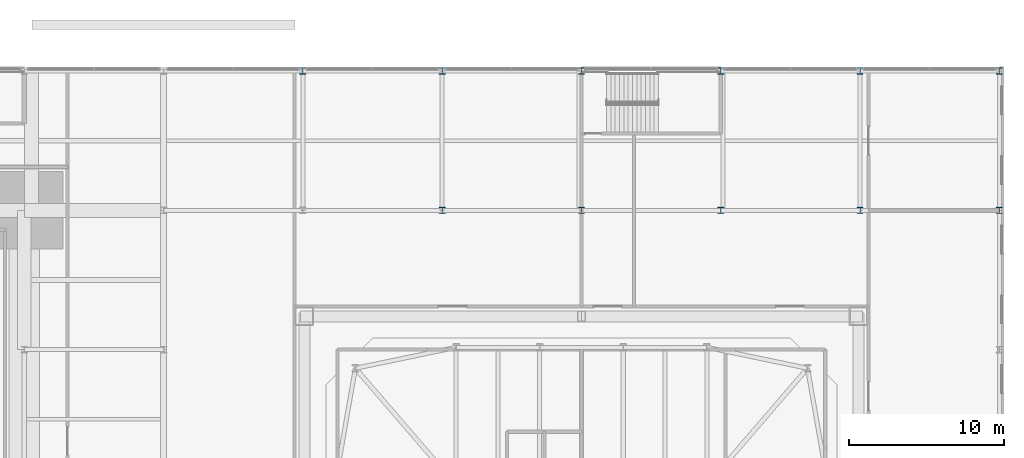
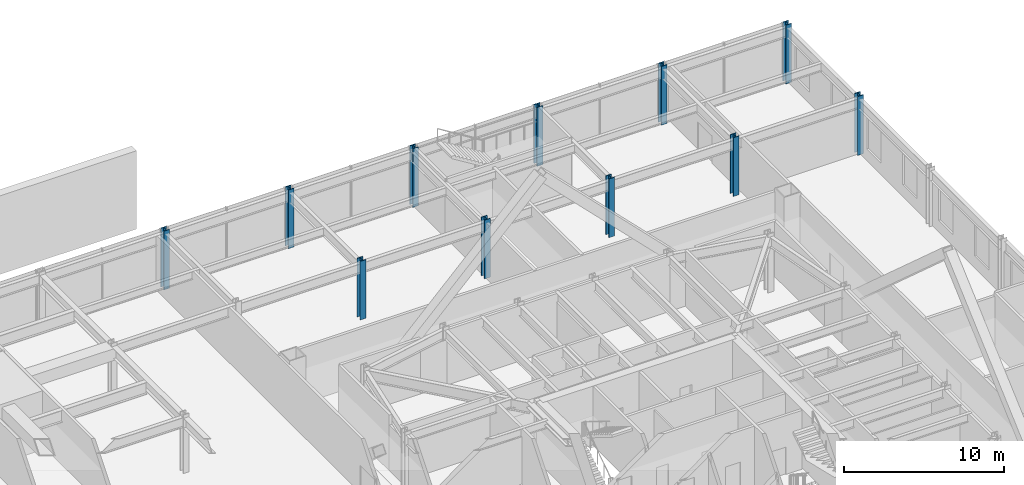
# One storey, part 5 of 32: 11 columns.
"""IFC4 building model written with IfcOpenShell, lengths in metres."""

import ifcopenshell
import ifcopenshell.guid

model = None  # the IFC model being written
_history = None  # IfcOwnerHistory: only IFC2X3 demands one
_inside = {}  # id of a spatial element -> (the spatial element, [elements in it])
_under = {}  # id of a project, library or spatial element -> (it, [spatial elements below it])
_declared = {}  # id of a project -> (the project, [libraries it declares])
_typed = {}  # id of a type object -> (the type object, [elements of that type])
_made_of = {}  # id of a material, layer set ... -> (it, [elements and type objects made of it])


def new_model(schema):
    """Start an empty IFC model of exactly this schema.

    Asked for "IFC4X3", IfcOpenShell would pick the latest addendum, in which some entities
    have other attributes; the version numbers below select the first issue.
    IFC2X3 requires an IfcOwnerHistory on every rooted entity: one is made here for all.
    """
    global model, _history
    if schema == "IFC4X3":
        model = ifcopenshell.file(schema_version=(4, 3, 0, 0))
    else:
        model = ifcopenshell.file(schema=schema)
    _inside.clear()
    _under.clear()
    _declared.clear()
    _typed.clear()
    _made_of.clear()
    _history = None
    if model.schema == "IFC2X3":
        org = make("IfcOrganization", Name="unknown")
        user = make(
            "IfcPersonAndOrganization",
            ThePerson=make("IfcPerson", FamilyName="unknown"),
            TheOrganization=org,
        )
        app = make(
            "IfcApplication",
            ApplicationDeveloper=org,
            Version="unknown",
            ApplicationFullName="unknown",
            ApplicationIdentifier="unknown",
        )
        _history = make(
            "IfcOwnerHistory",
            OwningUser=user,
            OwningApplication=app,
            ChangeAction="ADDED",
            CreationDate=0,
        )
    return model


def make(cls, **values):
    """One entity of the class cls with the attributes given. An attribute that is None is left unset."""
    return model.create_entity(
        cls, **{name: value for name, value in values.items() if value is not None}
    )


def rooted(cls, **values):
    """An entity with a GlobalId (a new one), such as an element, a storey or a relation."""
    return make(cls, GlobalId=ifcopenshell.guid.new(), OwnerHistory=_history, **values)


def si_unit(unit_type, name, prefix=None):
    """IfcSIUnit, for example si_unit("LENGTHUNIT", "METRE", prefix="MILLI")."""
    return make("IfcSIUnit", UnitType=unit_type, Prefix=prefix, Name=name)


def assignment(units):
    """IfcUnitAssignment: the units of a project."""
    return None if units is None else make("IfcUnitAssignment", Units=units)


def point(xyz):
    """IfcCartesianPoint."""
    return None if xyz is None else make("IfcCartesianPoint", Coordinates=xyz)


def direction(xyz):
    """IfcDirection."""
    return None if xyz is None else make("IfcDirection", DirectionRatios=xyz)


def frame(location, z_axis=None, x_axis=None):
    """IfcAxis2Placement3D, a coordinate frame: its origin and axes. An axis left out is left unset."""
    return make(
        "IfcAxis2Placement3D",
        Location=point(location),
        Axis=direction(z_axis),
        RefDirection=direction(x_axis),
    )


def frame_2d(location, x_axis=None):
    """IfcAxis2Placement2D, a coordinate frame in the plane: its origin and x axis."""
    return make(
        "IfcAxis2Placement2D", Location=point(location), RefDirection=direction(x_axis)
    )


def origin():
    """The frame at (0, 0, 0) with its axes left unset."""
    return frame((0.0, 0.0, 0.0))


def origin_2d():
    """The frame at (0, 0) in the plane with its x axis left unset."""
    return frame_2d((0.0, 0.0))


def place(relative_to, where):
    """IfcLocalPlacement: puts the frame where relative to a parent placement (None: the world)."""
    return make(
        "IfcLocalPlacement", PlacementRelTo=relative_to, RelativePlacement=where
    )


def context(
    kind, dimensions, precision=None, world=None, true_north=None, identifier=None
):
    """IfcGeometricRepresentationContext, for example the 3D "Model" context."""
    return make(
        "IfcGeometricRepresentationContext",
        ContextIdentifier=identifier,
        ContextType=kind,
        CoordinateSpaceDimension=dimensions,
        Precision=precision,
        WorldCoordinateSystem=world,
        TrueNorth=true_north,
    )


def subcontext(parent, identifier, kind, view, scale=None):
    """IfcGeometricRepresentationSubContext, for example "Body" below "Model"."""
    return make(
        "IfcGeometricRepresentationSubContext",
        ContextIdentifier=identifier,
        ContextType=kind,
        ParentContext=parent,
        TargetScale=scale,
        TargetView=view,
    )


def project(units=None, contexts=None):
    """IfcProject with its units and contexts."""
    return rooted(
        "IfcProject",
        Name="project",
        RepresentationContexts=contexts,
        UnitsInContext=assignment(units),
    )


def spatial(cls, under=None, at=None, **own):
    """A site, building, storey or space (cls), placed at a placement, below another one or the project."""
    s = rooted(cls, ObjectPlacement=at, **own)
    if under is not None:
        _under.setdefault(under.id(), (under, []))[1].append(s)
    return s


def profile(cls, at=None, kind="AREA", **sizes):
    """A parametric profile (cls). Its sizes go by their IFC names, for example OverallWidth=200.0."""
    return make(cls, ProfileType=kind, Position=at, **sizes)


def i_section(**sizes):
    """IfcIShapeProfileDef."""
    return profile("IfcIShapeProfileDef", **sizes)


def extrude(swept, where, along, depth):
    """IfcExtrudedAreaSolid: the profile swept, set in the frame where, extruded along a direction by depth."""
    return make(
        "IfcExtrudedAreaSolid",
        SweptArea=swept,
        Position=where,
        ExtrudedDirection=direction(along),
        Depth=depth,
    )


def shape(context_of_items, identifier, shape_type, items):
    """IfcShapeRepresentation: the items that make up one representation, for example the "Body"."""
    return make(
        "IfcShapeRepresentation",
        ContextOfItems=context_of_items,
        RepresentationIdentifier=identifier,
        RepresentationType=shape_type,
        Items=items,
    )


def material(Name=None, Category=None):
    """IfcMaterial."""
    return make("IfcMaterial", Name=Name, Category=Category)


def material_profile(
    of_material, cross_section, Name=None, Category=None, Priority=None
):
    """IfcMaterialProfile: a cross section and its material."""
    return make(
        "IfcMaterialProfile",
        Name=Name,
        Material=of_material,
        Profile=cross_section,
        Priority=Priority,
        Category=Category,
    )


def profile_set(profiles, Name=None, composite=None):
    """IfcMaterialProfileSet."""
    return make(
        "IfcMaterialProfileSet",
        Name=Name,
        MaterialProfiles=profiles,
        CompositeProfile=composite,
    )


def made_of(thing, what):
    """Note that an element or type object is made of a material, layer set ...; save() writes the relation."""
    if what is not None:
        _made_of.setdefault(what.id(), (what, []))[1].append(thing)
    return thing


def type_object(cls, material=None, **own):
    """A type object (cls), such as IfcWallType, which elements share."""
    return made_of(rooted(cls, **own), material)


def element(
    cls,
    number,
    at=None,
    inside=None,
    cuts=None,
    type_object=None,
    material=None,
    context=None,
    identifier="Body",
    shape_type=None,
    held_by="IfcProductDefinitionShape",
    body=None,
    shapes=None,
    **own,
):
    """One element of the class cls, such as IfcWall. Its Tag is "e" and its number.

    at: its placement. inside: the storey or other place that contains it. cuts: it is an
    opening in that element (IfcRelVoidsElement). A single representation is given by context,
    identifier, shape_type and body (its items); several are given by shapes. held_by: the class
    of the entity that holds the representations. save() writes the other relations.
    """
    e = rooted(cls, Tag="e%d" % number, ObjectPlacement=at, **own)
    if body is not None:
        shapes = [shape(context, identifier, shape_type, body)]
    if shapes is not None:
        e.Representation = make(held_by, Representations=shapes)
    if inside is not None:
        _inside.setdefault(inside.id(), (inside, []))[1].append(e)
    if cuts is not None:
        rooted(
            "IfcRelVoidsElement", RelatingBuildingElement=cuts, RelatedOpeningElement=e
        )
    if type_object is not None:
        _typed.setdefault(type_object.id(), (type_object, []))[1].append(e)
    return made_of(e, material)


def aggregate(whole, parts):
    """IfcRelAggregates: a whole, such as a stair, and the parts it consists of."""
    return rooted("IfcRelAggregates", RelatingObject=whole, RelatedObjects=parts)


def save(model, path):
    """Write the relations noted so far, then the file.

    IfcRelAggregates (storeys below a building ...), IfcRelContainedInSpatialStructure (elements
    in a storey), IfcRelDefinesByType, IfcRelAssociatesMaterial and IfcRelDeclares: one each for
    every whole, place, type object, material and project.
    """
    for whole, parts in _under.values():
        aggregate(whole, parts)
    for where, things in _inside.values():
        rooted(
            "IfcRelContainedInSpatialStructure",
            RelatedElements=things,
            RelatingStructure=where,
        )
    for kind, things in _typed.values():
        rooted("IfcRelDefinesByType", RelatedObjects=things, RelatingType=kind)
    for what, things in _made_of.values():
        rooted("IfcRelAssociatesMaterial", RelatedObjects=things, RelatingMaterial=what)
    for by, libraries in _declared.values():
        rooted("IfcRelDeclares", RelatingContext=by, RelatedDefinitions=libraries)
    model.write(path)


model = new_model("IFC4")

# Units and contexts
model_context = context("Model", 3, precision=1e-05, world=origin(), true_north=direction((0.0, 1.0)))
body_context = subcontext(model_context, "Body", "Model", "MODEL_VIEW")
ifc_project = project(units=[si_unit("LENGTHUNIT", "METRE"), si_unit("AREAUNIT", "SQUARE_METRE"), si_unit("VOLUMEUNIT", "CUBIC_METRE"), si_unit("PLANEANGLEUNIT", "RADIAN"), si_unit("MASSUNIT", "GRAM", prefix="KILO")], contexts=[model_context])

# Site, building, storey
site_placement = place(None, origin())
site = spatial("IfcSite", under=ifc_project, at=site_placement, CompositionType="ELEMENT")
building_placement = place(site_placement, origin())
building = spatial("IfcBuilding", under=site, at=building_placement, Name="Iwan Alto Co-Living Towers", CompositionType="ELEMENT")
storey_placement = place(building_placement, frame((0.0, 0.0, 6.0)))
storey = spatial("IfcBuildingStorey", under=building, at=storey_placement, Name="L01", CompositionType="ELEMENT", Elevation=6.0)

# Columns
ifc_material = material(Name="Steel ASTM A992 Gr 50", Category="steel")
ifc_material_profile = material_profile(ifc_material, i_section(OverallWidth=0.411376953125, OverallDepth=0.434326171875, WebThickness=0.035888671875, FlangeThickness=0.057373046875, at=origin_2d()), Name="W14X311")
ifc_profile_set = profile_set([ifc_material_profile], Name="Steel ASTM A992 Gr 50")
column_type = type_object("IfcColumnType", Name="PODIUM COLUMN W14X311", PredefinedType="COLUMN", material=ifc_profile_set)
for number, where, z_axis, x_axis, name in (
    (1, (45.0, 36.0, 0.0), (0.0, 0.0, 1.0), (1.0, 0.0, 0.0), "Podium column 10/I L01"),
    (2, (54.0, 27.0, 0.0), (0.0, 0.0, 1.0), (1.0, 0.0, 0.0), "Podium column 11/H L01"),
    (3, (54.0, 36.0, 0.0), (0.0, 0.0, 1.0), (1.0, 0.0, 0.0), "Podium column 11/I L01"),
    (4, (63.0, 27.0, 0.0), (0.0, 0.0, 1.0), (1.0, 0.0, 0.0), "Podium column 12/H L01"),
    (5, (63.0, 36.0, 0.0), (0.0, 0.0, 1.0), (1.0, 0.0, 0.0), "Podium column 12/I L01"),
    (6, (72.0, 27.0, 0.0), (0.0, 0.0, 1.0), (1.0, 0.0, 0.0), "Podium column 13/H L01"),
    (7, (72.0, 36.0, 0.0), (0.0, 0.0, 1.0), (1.0, 0.0, 0.0), "Podium column 13/I L01"),
    (8, (81.0, 27.0, 0.0), (0.0, 0.0, 1.0), (1.0, 0.0, 0.0), "Podium column 14/H L01"),
    (9, (81.0, 36.0, 0.0), (0.0, 0.0, 1.0), (1.0, 0.0, 0.0), "Podium column 14/I L01"),
    (10, (90.0, 27.0, 0.0), (0.0, 0.0, 1.0), (1.0, 0.0, 0.0), "Podium column 15/H L01"),
    (11, (90.0, 36.0, 0.0), (0.0, 0.0, 1.0), (1.0, 0.0, 0.0), "Podium column 15/I L01"),
):
    element("IfcColumn", number, at=place(storey_placement, frame(where, z_axis=z_axis, x_axis=x_axis)), inside=storey, type_object=column_type, Name=name, PredefinedType="COLUMN", context=body_context, shape_type="SweptSolid", body=[
        extrude(i_section(OverallWidth=0.411376953125, OverallDepth=0.434326171875, WebThickness=0.035888671875, FlangeThickness=0.057373046875, at=origin_2d()), origin(), (0.0, 0.0, 1.0), 4.5),
    ])

save(model, "model.ifc")
